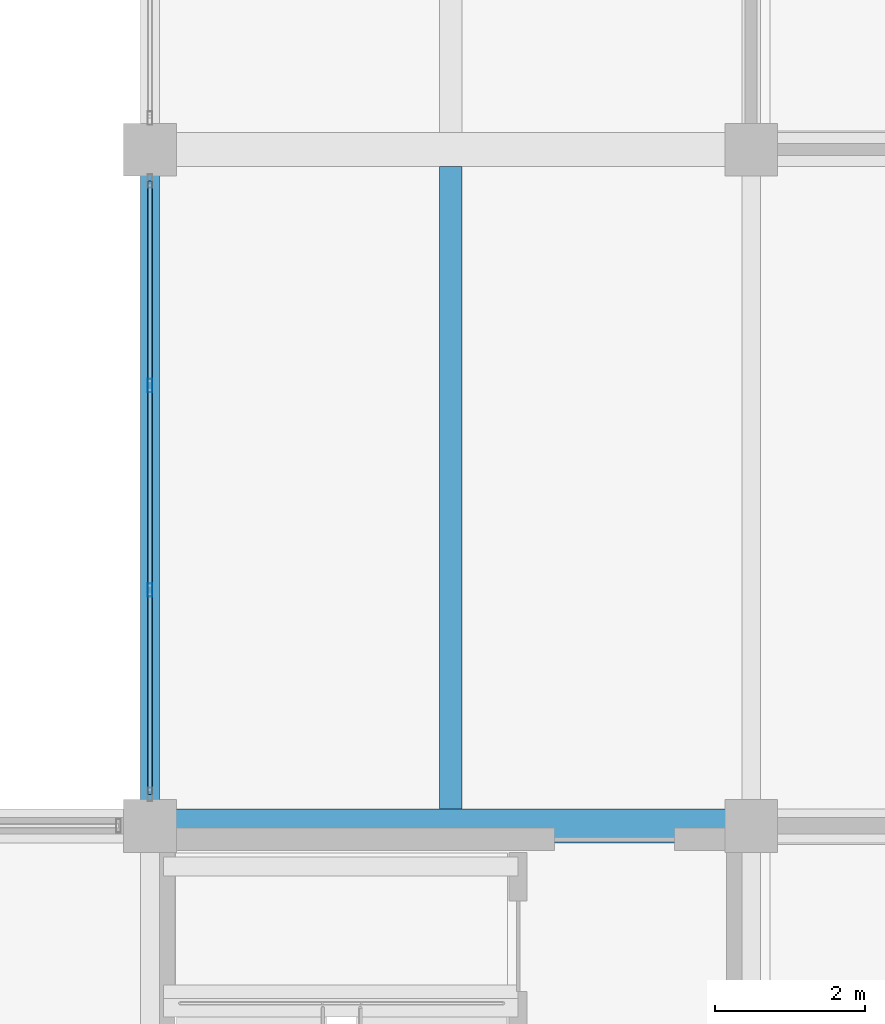
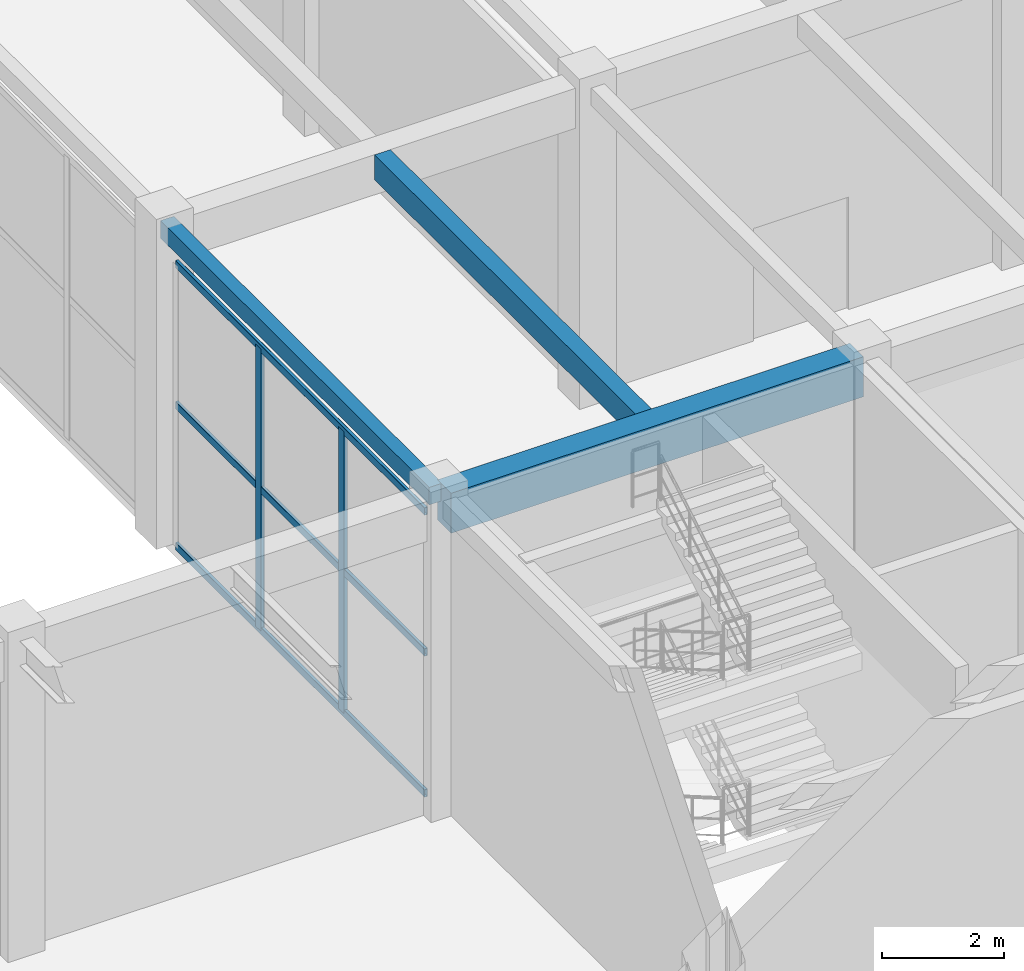
# One storey, part 94 of 163: 5 members, 3 beams, 1 element without a shape of its own.
"""IFC4 building model written with IfcOpenShell, lengths in metres."""

from ifc_helpers import new_model, si_unit, direction, frame, origin, origin_2d, place, context, subcontext, project, spatial, rectangle, hollow_rectangle, extrude, material, material_profile, profile_set, type_object, element, aggregate, save


model = new_model("IFC4")

# Units and contexts
model_context = context("Model", 3, precision=1e-05, world=origin(), true_north=direction((0.0, 1.0)))
body_context = subcontext(model_context, "Body", "Model", "MODEL_VIEW")
ifc_project = project(units=[si_unit("LENGTHUNIT", "METRE"), si_unit("AREAUNIT", "SQUARE_METRE"), si_unit("VOLUMEUNIT", "CUBIC_METRE"), si_unit("PLANEANGLEUNIT", "RADIAN"), si_unit("MASSUNIT", "GRAM", prefix="KILO")], contexts=[model_context])

# Site, building, storey
site_placement = place(None, origin())
site = spatial("IfcSite", under=ifc_project, at=site_placement, CompositionType="ELEMENT")
building_placement = place(site_placement, origin())
building = spatial("IfcBuilding", under=site, at=building_placement, Name="Varnabhumi Central Station", CompositionType="ELEMENT")
storey_placement = place(building_placement, frame((0.0, 0.0, 9.60009765625)))
storey = spatial("IfcBuildingStorey", under=building, at=storey_placement, Name="L02", CompositionType="ELEMENT", Elevation=9.60009765625)

# Beams
ifc_material_1 = material(Name="Concrete M35", Category="concrete")
ifc_material_profile_1 = material_profile(ifc_material_1, rectangle(XDim=0.25, YDim=0.35009765625, at=origin_2d()), Name="Concrete M35", Category="concrete")
ifc_profile_set_1 = profile_set([ifc_material_profile_1], Name="Concrete M35")
beam_type_1 = type_object("IfcBeamType", Name="BM-RC-250x350", PredefinedType="LINTEL", material=ifc_profile_set_1)
beam_1_placement = place(storey_placement, frame((144.0, 9.10009765625, 6.1748046875), z_axis=(0.0, 1.0, 0.0), x_axis=(-1.0, 0.0, 0.0)))
element("IfcBeam", 1, at=beam_1_placement, inside=storey, type_object=beam_type_1, Name="Beam L02-19:B-C", PredefinedType="LINTEL", context=body_context, shape_type="SweptSolid", body=[
    extrude(rectangle(XDim=0.25, YDim=0.35009765625, at=origin_2d()), origin(), (0.0, 0.0, 1.0), 8.7998046875),
])
ifc_material_2 = material(Name="Concrete M40", Category="concrete")
ifc_material_profile_2 = material_profile(ifc_material_2, rectangle(XDim=0.300048828125, YDim=0.5, at=origin_2d()), Name="Concrete M40", Category="concrete")
ifc_profile_set_2 = profile_set([ifc_material_profile_2], Name="Concrete M40")
beam_type_2 = type_object("IfcBeamType", Name="BM-RC-300x500", PredefinedType="JOIST", material=ifc_profile_set_2)
beam_2_placement = place(storey_placement, frame((148.0, 9.22509765625, 6.099853515625), z_axis=(0.0, 1.0, 0.0), x_axis=(-1.0, 0.0, 0.0)))
element("IfcBeam", 2, at=beam_2_placement, inside=storey, type_object=beam_type_2, Name="Secondary Joist L02-19/20:B-C", PredefinedType="JOIST", context=body_context, shape_type="SweptSolid", body=[
    extrude(rectangle(XDim=0.300048828125, YDim=0.5, at=origin_2d()), origin(), (0.0, 0.0, 1.0), 8.5498046875),
])
ifc_material_profile_3 = material_profile(ifc_material_2, rectangle(XDim=0.449951171875, YDim=0.800048828125, at=origin_2d()), Name="Concrete M40", Category="concrete")
ifc_profile_set_3 = profile_set([ifc_material_profile_3], Name="Concrete M40")
beam_type_3 = type_object("IfcBeamType", Name="BM-RC-450x800", PredefinedType="BEAM", material=ifc_profile_set_3)
beam_3_placement = place(storey_placement, frame((144.10009765625, 9.0, 5.949951171875), z_axis=(1.0, 0.0, 0.0), x_axis=(0.0, 1.0, 0.0)))
element("IfcBeam", 3, at=beam_3_placement, inside=storey, type_object=beam_type_3, Name="Beam L02-B:19-20", PredefinedType="BEAM", context=body_context, shape_type="SweptSolid", body=[
    extrude(rectangle(XDim=0.449951171875, YDim=0.800048828125, at=origin_2d()), origin(), (0.0, 0.0, 1.0), 7.7998046875),
])

# Curtain wall, members
ifc_material_3 = material(Name="Anodised aluminium 6063-T6", Category="aluminium")
curtain_wall_type = type_object("IfcCurtainWallType", Name="CW-PATIO-LOGGIA-L2", PredefinedType="NOTDEFINED", material=ifc_material_3)
curtain_wall_placement = place(storey_placement, origin())
curtain_wall = element("IfcCurtainWall", 4, at=curtain_wall_placement, inside=storey, type_object=curtain_wall_type, Name="Curtain Wall CW-SP2W1", PredefinedType="NOTDEFINED")
ifc_material_profile_4 = material_profile(ifc_material_3, hollow_rectangle(XDim=0.06494140625, YDim=0.179931640625, WallThickness=0.00390625, InnerFilletRadius=0.001953125, OuterFilletRadius=0.006103515625, at=origin_2d()), Name="Anodised aluminium 6063-T6", Category="aluminium")
ifc_profile_set_4 = profile_set([ifc_material_profile_4], Name="Anodised aluminium 6063-T6")
member_type_1 = type_object("IfcMemberType", Name="CW-MUL-180", PredefinedType="MULLION", material=ifc_profile_set_4)
member_1_placement = place(storey_placement, frame((144.0, 12.139892578125, 0.0), z_axis=(0.0, 0.0, 1.0), x_axis=(1.0, 0.0, 0.0)))
member_1 = element("IfcMember", 5, at=member_1_placement, type_object=member_type_1, Name="Curtain Wall Mullion CW-SP2W1-M2", PredefinedType="MULLION", context=body_context, shape_type="SweptSolid", body=[
    extrude(hollow_rectangle(XDim=0.06494140625, YDim=0.179931640625, WallThickness=0.00390625, InnerFilletRadius=0.001953125, OuterFilletRadius=0.006103515625, at=origin_2d()), origin(), (0.0, 0.0, 1.0), 5.639892578125),
])
member_2_placement = place(storey_placement, frame((144.0, 14.860107421875, 0.0), z_axis=(0.0, 0.0, 1.0), x_axis=(1.0, 0.0, 0.0)))
member_2 = element("IfcMember", 6, at=member_2_placement, type_object=member_type_1, Name="Curtain Wall Mullion CW-SP2W1-M3", PredefinedType="MULLION", context=body_context, shape_type="SweptSolid", body=[
    extrude(hollow_rectangle(XDim=0.06494140625, YDim=0.179931640625, WallThickness=0.00390625, InnerFilletRadius=0.001953125, OuterFilletRadius=0.006103515625, at=origin_2d()), origin(), (0.0, 0.0, 1.0), 5.639892578125),
])
ifc_material_profile_5 = material_profile(ifc_material_3, hollow_rectangle(XDim=0.06005859375, YDim=0.14990234375, WallThickness=0.00390625, InnerFilletRadius=0.001953125, OuterFilletRadius=0.006103515625, at=origin_2d()), Name="Anodised aluminium 6063-T6", Category="aluminium")
ifc_profile_set_5 = profile_set([ifc_material_profile_5], Name="Anodised aluminium 6063-T6")
member_type_2 = type_object("IfcMemberType", Name="CW-TR-150", PredefinedType="USERDEFINED", material=ifc_profile_set_5)
member_3_placement = place(storey_placement, frame((144.0, 9.419921875, 0.0), z_axis=(0.0, 1.0, 0.0), x_axis=(-1.0, 0.0, 0.0)))
member_3 = element("IfcMember", 7, at=member_3_placement, type_object=member_type_2, Name="Curtain Wall Transom CW-SP2W1-T1", ObjectType="TRANSOM", PredefinedType="USERDEFINED", context=body_context, shape_type="SweptSolid", body=[
    extrude(hollow_rectangle(XDim=0.06005859375, YDim=0.14990234375, WallThickness=0.00390625, InnerFilletRadius=0.001953125, OuterFilletRadius=0.006103515625, at=origin_2d()), origin(), (0.0, 0.0, 1.0), 8.16015625),
])
member_4_placement = place(storey_placement, frame((144.0, 9.419921875, 2.81982421875), z_axis=(0.0, 1.0, 0.0), x_axis=(-1.0, 0.0, 0.0)))
member_4 = element("IfcMember", 8, at=member_4_placement, type_object=member_type_2, Name="Curtain Wall Transom CW-SP2W1-T2", ObjectType="TRANSOM", PredefinedType="USERDEFINED", context=body_context, shape_type="SweptSolid", body=[
    extrude(hollow_rectangle(XDim=0.06005859375, YDim=0.14990234375, WallThickness=0.00390625, InnerFilletRadius=0.001953125, OuterFilletRadius=0.006103515625, at=origin_2d()), origin(), (0.0, 0.0, 1.0), 8.16015625),
])
member_5_placement = place(storey_placement, frame((144.0, 9.419921875, 5.639892578125), z_axis=(0.0, 1.0, 0.0), x_axis=(-1.0, 0.0, 0.0)))
member_5 = element("IfcMember", 9, at=member_5_placement, type_object=member_type_2, Name="Curtain Wall Transom CW-SP2W1-T3", ObjectType="TRANSOM", PredefinedType="USERDEFINED", context=body_context, shape_type="SweptSolid", body=[
    extrude(hollow_rectangle(XDim=0.06005859375, YDim=0.14990234375, WallThickness=0.00390625, InnerFilletRadius=0.001953125, OuterFilletRadius=0.006103515625, at=origin_2d()), origin(), (0.0, 0.0, 1.0), 8.16015625),
])
aggregate(curtain_wall, [member_1, member_2, member_3, member_4, member_5])

save(model, "model.ifc")
